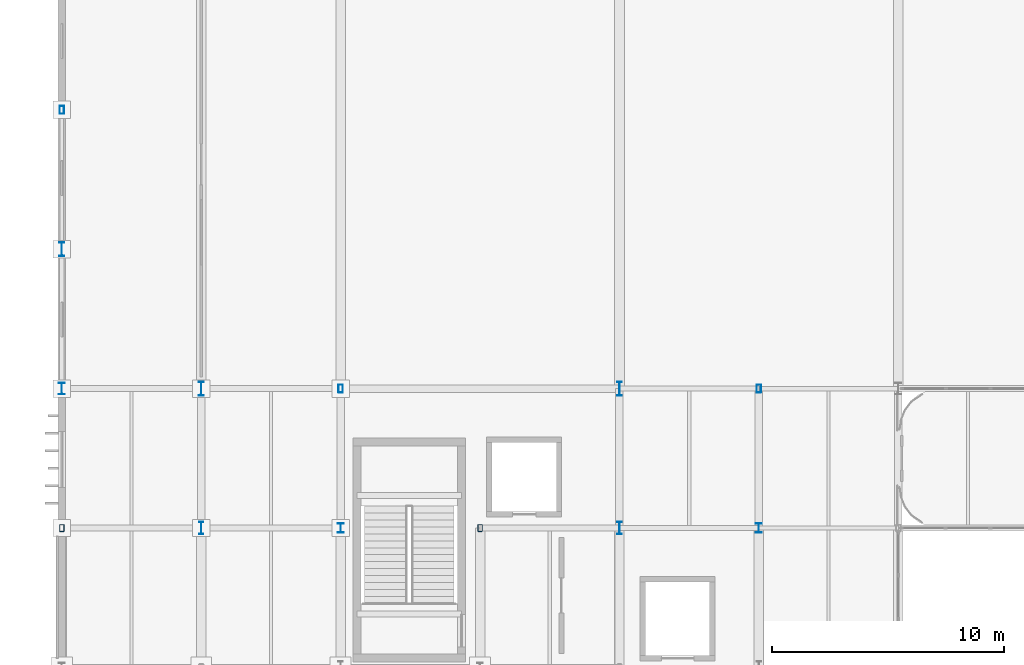
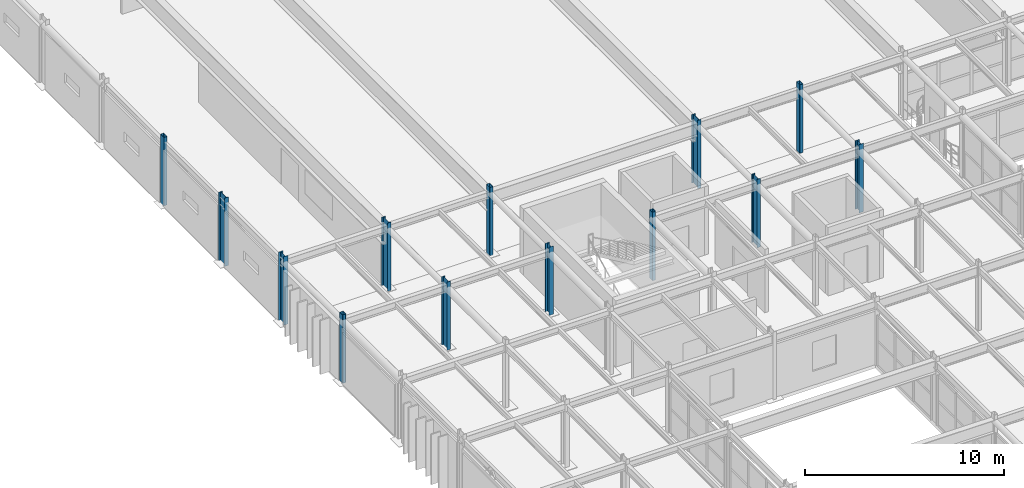
# One storey, part 10 of 116: 13 columns.
"""IFC4 building model written with IfcOpenShell, lengths in metres."""

from ifc_helpers import new_model, si_unit, direction, frame, origin, origin_2d, place, context, subcontext, project, spatial, hollow_rectangle, i_section, extrude, material, material_profile, profile_set, type_object, element, save


model = new_model("IFC4")

# Units and contexts
model_context = context("Model", 3, precision=1e-05, world=origin(), true_north=direction((0.0, 1.0)))
body_context = subcontext(model_context, "Body", "Model", "MODEL_VIEW")
ifc_project = project(units=[si_unit("LENGTHUNIT", "METRE"), si_unit("AREAUNIT", "SQUARE_METRE"), si_unit("VOLUMEUNIT", "CUBIC_METRE"), si_unit("PLANEANGLEUNIT", "RADIAN"), si_unit("MASSUNIT", "GRAM", prefix="KILO")], contexts=[model_context])

# Site, building, storey
site_placement = place(None, origin())
site = spatial("IfcSite", under=ifc_project, at=site_placement, CompositionType="ELEMENT")
building_placement = place(site_placement, origin())
building = spatial("IfcBuilding", under=site, at=building_placement, Name="Varnakota Square Police Headquarters", CompositionType="ELEMENT")
storey_placement = place(building_placement, frame((0.0, 0.0, 9.300048828125)))
storey = spatial("IfcBuildingStorey", under=building, at=storey_placement, Name="L02", CompositionType="ELEMENT", Elevation=9.300048828125)

# Columns
ifc_material = material(Name="Steel IS 2062 Grade 350", Category="steel")
ifc_material_profile_1 = material_profile(ifc_material, i_section(OverallWidth=0.25, OverallDepth=0.39990234375, WebThickness=0.010498046875, FlangeThickness=0.0126953125, FilletRadius=0.013916015625, at=origin_2d()), Name="ISHB 400")
ifc_profile_set_1 = profile_set([ifc_material_profile_1], Name="Steel IS 2062 Grade 350")
column_type_1 = type_object("IfcColumnType", Name="COL-ISHB400", PredefinedType="COLUMN", material=ifc_profile_set_1)
for number, where, z_axis, x_axis, name in (
    (1, (18.0, 69.0, 0.0), (0.0, 0.0, 1.0), (1.0, 0.0, 0.0), "Column X0180-Y0690 L02"),
    (2, (36.0, 69.0, 0.0), (0.0, 0.0, 1.0), (1.0, 0.0, 0.0), "Column X0360-Y0690 L02"),
):
    element("IfcColumn", number, at=place(storey_placement, frame(where, z_axis=z_axis, x_axis=x_axis)), inside=storey, type_object=column_type_1, Name=name, PredefinedType="COLUMN", context=body_context, shape_type="SweptSolid", body=[
        extrude(i_section(OverallWidth=0.25, OverallDepth=0.39990234375, WebThickness=0.010498046875, FlangeThickness=0.0126953125, FilletRadius=0.013916015625, at=origin_2d()), origin(), (0.0, 0.0, 1.0), 4.199951171875),
    ])
ifc_material_profile_2 = material_profile(ifc_material, i_section(OverallWidth=0.18994140625, OverallDepth=0.550048828125, WebThickness=0.01123046875, FlangeThickness=0.019287109375, FilletRadius=0.01806640625, at=origin_2d()), Name="ISMB 550")
ifc_profile_set_2 = profile_set([ifc_material_profile_2], Name="Steel IS 2062 Grade 350")
column_type_2 = type_object("IfcColumnType", Name="COL-ISMB550", PredefinedType="COLUMN", material=ifc_profile_set_2)
for number, where, z_axis, x_axis, name in (
    (3, (12.0, 69.0, 0.0), (0.0, 0.0, 1.0), (1.0, 0.0, 0.0), "Column X0120-Y0690 L02"),
    (4, (30.0, 69.0, 0.0), (0.0, 0.0, 1.0), (1.0, 0.0, 0.0), "Column X0300-Y0690 L02"),
):
    element("IfcColumn", number, at=place(storey_placement, frame(where, z_axis=z_axis, x_axis=x_axis)), inside=storey, type_object=column_type_2, Name=name, PredefinedType="COLUMN", context=body_context, shape_type="SweptSolid", body=[
        extrude(i_section(OverallWidth=0.18994140625, OverallDepth=0.550048828125, WebThickness=0.01123046875, FlangeThickness=0.019287109375, FilletRadius=0.01806640625, at=origin_2d()), origin(), (0.0, 0.0, 1.0), 4.199951171875),
    ])
ifc_material_profile_3 = material_profile(ifc_material, i_section(OverallWidth=0.2099609375, OverallDepth=0.60009765625, WebThickness=0.011962890625, FlangeThickness=0.020751953125, FilletRadius=0.02001953125, at=origin_2d()), Name="ISMB 600")
ifc_profile_set_3 = profile_set([ifc_material_profile_3], Name="Steel IS 2062 Grade 350")
column_type_3 = type_object("IfcColumnType", Name="COL-ISMB600", PredefinedType="COLUMN", material=ifc_profile_set_3)
for number, where, z_axis, x_axis, name in (
    (5, (6.0, 81.0, 0.0), (0.0, 0.0, 1.0), (1.0, 0.0, 0.0), "Column X0060-Y0810 L02"),
    (6, (12.0, 75.0, 0.0), (0.0, 0.0, 1.0), (1.0, 0.0, 0.0), "Column X0120-Y0750 L02"),
    (7, (30.0, 75.0, 0.0), (0.0, 0.0, 1.0), (1.0, 0.0, 0.0), "Column X0300-Y0750 L02"),
):
    element("IfcColumn", number, at=place(storey_placement, frame(where, z_axis=z_axis, x_axis=x_axis)), inside=storey, type_object=column_type_3, Name=name, PredefinedType="COLUMN", context=body_context, shape_type="SweptSolid", body=[
        extrude(i_section(OverallWidth=0.2099609375, OverallDepth=0.60009765625, WebThickness=0.011962890625, FlangeThickness=0.020751953125, FilletRadius=0.02001953125, at=origin_2d()), origin(), (0.0, 0.0, 1.0), 4.199951171875),
    ])
ifc_material_profile_4 = material_profile(ifc_material, i_section(OverallWidth=0.25, OverallDepth=0.5, WebThickness=0.010009765625, FlangeThickness=0.0146484375, FilletRadius=0.014892578125, at=origin_2d()), Name="ISWB 500")
ifc_profile_set_4 = profile_set([ifc_material_profile_4], Name="Steel IS 2062 Grade 350")
column_type_4 = type_object("IfcColumnType", Name="COL-ISWB500", PredefinedType="COLUMN", material=ifc_profile_set_4)
column_placement = place(storey_placement, frame((6.0, 75.0, 0.0), z_axis=(0.0, 0.0, 1.0), x_axis=(1.0, 0.0, 0.0)))
element("IfcColumn", 8, at=column_placement, inside=storey, type_object=column_type_4, Name="Column X0060-Y0750 L02", PredefinedType="COLUMN", context=body_context, shape_type="SweptSolid", body=[
    extrude(i_section(OverallWidth=0.25, OverallDepth=0.5, WebThickness=0.010009765625, FlangeThickness=0.0146484375, FilletRadius=0.014892578125, at=origin_2d()), origin(), (0.0, 0.0, 1.0), 4.199951171875),
])
ifc_material_profile_5 = material_profile(ifc_material, hollow_rectangle(XDim=0.199951171875, YDim=0.300048828125, WallThickness=0.011962890625, InnerFilletRadius=0.011962890625, OuterFilletRadius=0.02392578125, at=origin_2d()), Name="RHS 300x200x12")
ifc_profile_set_5 = profile_set([ifc_material_profile_5], Name="Steel IS 2062 Grade 350")
column_type_5 = type_object("IfcColumnType", Name="COL-RHS300", PredefinedType="COLUMN", material=ifc_profile_set_5)
for number, where, z_axis, x_axis, name in (
    (9, (6.0, 69.0, 0.0), (0.0, 0.0, 1.0), (1.0, 0.0, 0.0), "Column X0060-Y0690 L02"),
    (10, (24.0, 69.0, 0.0), (0.0, 0.0, 1.0), (1.0, 0.0, 0.0), "Column X0240-Y0690 L02"),
):
    element("IfcColumn", number, at=place(storey_placement, frame(where, z_axis=z_axis, x_axis=x_axis)), inside=storey, type_object=column_type_5, Name=name, PredefinedType="COLUMN", context=body_context, shape_type="SweptSolid", body=[
        extrude(hollow_rectangle(XDim=0.199951171875, YDim=0.300048828125, WallThickness=0.011962890625, InnerFilletRadius=0.011962890625, OuterFilletRadius=0.02392578125, at=origin_2d()), origin(), (0.0, 0.0, 1.0), 4.199951171875),
    ])
ifc_material_profile_6 = material_profile(ifc_material, hollow_rectangle(XDim=0.199951171875, YDim=0.35009765625, WallThickness=0.011962890625, InnerFilletRadius=0.011962890625, OuterFilletRadius=0.02392578125, at=origin_2d()), Name="RHS 350x200x12")
ifc_profile_set_6 = profile_set([ifc_material_profile_6], Name="Steel IS 2062 Grade 350")
column_type_6 = type_object("IfcColumnType", Name="COL-RHS350", PredefinedType="COLUMN", material=ifc_profile_set_6)
for number, where, z_axis, x_axis, name in (
    (11, (6.0, 87.0, 0.0), (0.0, 0.0, 1.0), (1.0, 0.0, 0.0), "Column X0060-Y0870 L02"),
    (12, (18.0, 75.0, 0.0), (0.0, 0.0, 1.0), (1.0, 0.0, 0.0), "Column X0180-Y0750 L02"),
    (13, (36.0, 75.0, 0.0), (0.0, 0.0, 1.0), (1.0, 0.0, 0.0), "Column X0360-Y0750 L02"),
):
    element("IfcColumn", number, at=place(storey_placement, frame(where, z_axis=z_axis, x_axis=x_axis)), inside=storey, type_object=column_type_6, Name=name, PredefinedType="COLUMN", context=body_context, shape_type="SweptSolid", body=[
        extrude(hollow_rectangle(XDim=0.199951171875, YDim=0.35009765625, WallThickness=0.011962890625, InnerFilletRadius=0.011962890625, OuterFilletRadius=0.02392578125, at=origin_2d()), origin(), (0.0, 0.0, 1.0), 4.199951171875),
    ])

save(model, "model.ifc")
